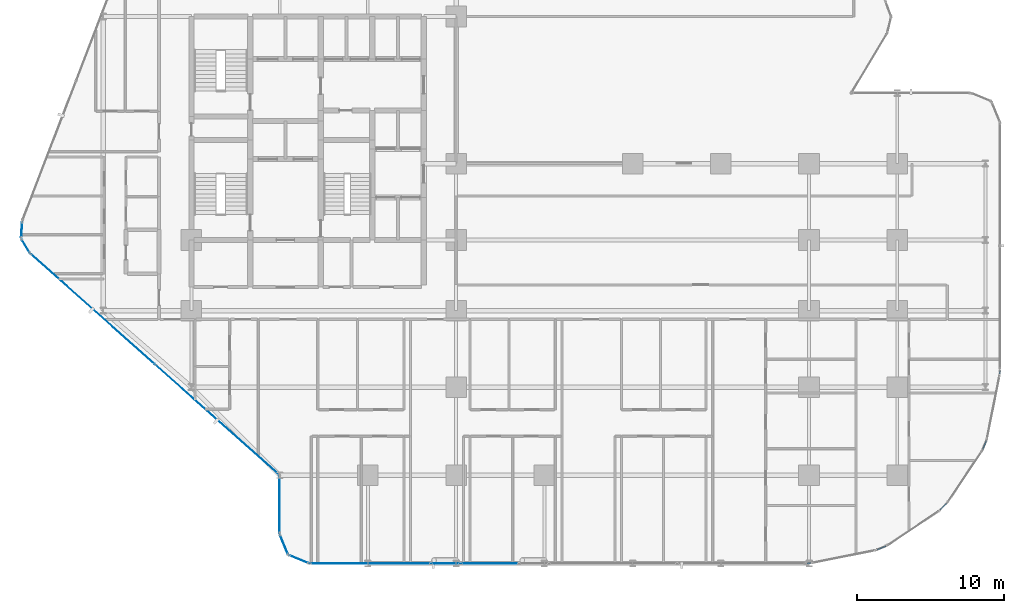
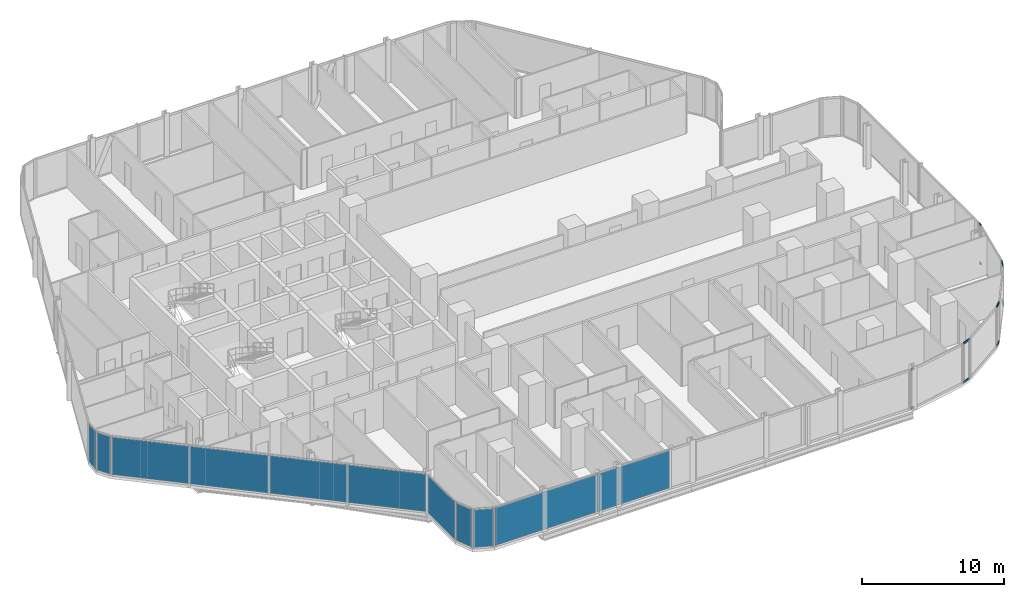
# One storey, part 20 of 35: 10 members, 10 plates, 14 elements without a shape of their own.
"""IFC4 building model written with IfcOpenShell, lengths in metres."""

import ifcopenshell
import ifcopenshell.guid

model = None  # the IFC model being written
_history = None  # IfcOwnerHistory: only IFC2X3 demands one
_inside = {}  # id of a spatial element -> (the spatial element, [elements in it])
_under = {}  # id of a project, library or spatial element -> (it, [spatial elements below it])
_declared = {}  # id of a project -> (the project, [libraries it declares])
_typed = {}  # id of a type object -> (the type object, [elements of that type])
_made_of = {}  # id of a material, layer set ... -> (it, [elements and type objects made of it])


def new_model(schema):
    """Start an empty IFC model of exactly this schema.

    Asked for "IFC4X3", IfcOpenShell would pick the latest addendum, in which some entities
    have other attributes; the version numbers below select the first issue.
    IFC2X3 requires an IfcOwnerHistory on every rooted entity: one is made here for all.
    """
    global model, _history
    if schema == "IFC4X3":
        model = ifcopenshell.file(schema_version=(4, 3, 0, 0))
    else:
        model = ifcopenshell.file(schema=schema)
    _inside.clear()
    _under.clear()
    _declared.clear()
    _typed.clear()
    _made_of.clear()
    _history = None
    if model.schema == "IFC2X3":
        org = make("IfcOrganization", Name="unknown")
        user = make(
            "IfcPersonAndOrganization",
            ThePerson=make("IfcPerson", FamilyName="unknown"),
            TheOrganization=org,
        )
        app = make(
            "IfcApplication",
            ApplicationDeveloper=org,
            Version="unknown",
            ApplicationFullName="unknown",
            ApplicationIdentifier="unknown",
        )
        _history = make(
            "IfcOwnerHistory",
            OwningUser=user,
            OwningApplication=app,
            ChangeAction="ADDED",
            CreationDate=0,
        )
    return model


def make(cls, **values):
    """One entity of the class cls with the attributes given. An attribute that is None is left unset."""
    return model.create_entity(
        cls, **{name: value for name, value in values.items() if value is not None}
    )


def rooted(cls, **values):
    """An entity with a GlobalId (a new one), such as an element, a storey or a relation."""
    return make(cls, GlobalId=ifcopenshell.guid.new(), OwnerHistory=_history, **values)


def si_unit(unit_type, name, prefix=None):
    """IfcSIUnit, for example si_unit("LENGTHUNIT", "METRE", prefix="MILLI")."""
    return make("IfcSIUnit", UnitType=unit_type, Prefix=prefix, Name=name)


def assignment(units):
    """IfcUnitAssignment: the units of a project."""
    return None if units is None else make("IfcUnitAssignment", Units=units)


def point(xyz):
    """IfcCartesianPoint."""
    return None if xyz is None else make("IfcCartesianPoint", Coordinates=xyz)


def direction(xyz):
    """IfcDirection."""
    return None if xyz is None else make("IfcDirection", DirectionRatios=xyz)


def frame(location, z_axis=None, x_axis=None):
    """IfcAxis2Placement3D, a coordinate frame: its origin and axes. An axis left out is left unset."""
    return make(
        "IfcAxis2Placement3D",
        Location=point(location),
        Axis=direction(z_axis),
        RefDirection=direction(x_axis),
    )


def frame_2d(location, x_axis=None):
    """IfcAxis2Placement2D, a coordinate frame in the plane: its origin and x axis."""
    return make(
        "IfcAxis2Placement2D", Location=point(location), RefDirection=direction(x_axis)
    )


def origin():
    """The frame at (0, 0, 0) with its axes left unset."""
    return frame((0.0, 0.0, 0.0))


def origin_2d():
    """The frame at (0, 0) in the plane with its x axis left unset."""
    return frame_2d((0.0, 0.0))


def place(relative_to, where):
    """IfcLocalPlacement: puts the frame where relative to a parent placement (None: the world)."""
    return make(
        "IfcLocalPlacement", PlacementRelTo=relative_to, RelativePlacement=where
    )


def context(
    kind, dimensions, precision=None, world=None, true_north=None, identifier=None
):
    """IfcGeometricRepresentationContext, for example the 3D "Model" context."""
    return make(
        "IfcGeometricRepresentationContext",
        ContextIdentifier=identifier,
        ContextType=kind,
        CoordinateSpaceDimension=dimensions,
        Precision=precision,
        WorldCoordinateSystem=world,
        TrueNorth=true_north,
    )


def subcontext(parent, identifier, kind, view, scale=None):
    """IfcGeometricRepresentationSubContext, for example "Body" below "Model"."""
    return make(
        "IfcGeometricRepresentationSubContext",
        ContextIdentifier=identifier,
        ContextType=kind,
        ParentContext=parent,
        TargetScale=scale,
        TargetView=view,
    )


def project(units=None, contexts=None):
    """IfcProject with its units and contexts."""
    return rooted(
        "IfcProject",
        Name="project",
        RepresentationContexts=contexts,
        UnitsInContext=assignment(units),
    )


def spatial(cls, under=None, at=None, **own):
    """A site, building, storey or space (cls), placed at a placement, below another one or the project."""
    s = rooted(cls, ObjectPlacement=at, **own)
    if under is not None:
        _under.setdefault(under.id(), (under, []))[1].append(s)
    return s


def profile(cls, at=None, kind="AREA", **sizes):
    """A parametric profile (cls). Its sizes go by their IFC names, for example OverallWidth=200.0."""
    return make(cls, ProfileType=kind, Position=at, **sizes)


def rectangle(**sizes):
    """IfcRectangleProfileDef."""
    return profile("IfcRectangleProfileDef", **sizes)


def hollow_rectangle(**sizes):
    """IfcRectangleHollowProfileDef."""
    return profile("IfcRectangleHollowProfileDef", **sizes)


def extrude(swept, where, along, depth):
    """IfcExtrudedAreaSolid: the profile swept, set in the frame where, extruded along a direction by depth."""
    return make(
        "IfcExtrudedAreaSolid",
        SweptArea=swept,
        Position=where,
        ExtrudedDirection=direction(along),
        Depth=depth,
    )


def shape(context_of_items, identifier, shape_type, items):
    """IfcShapeRepresentation: the items that make up one representation, for example the "Body"."""
    return make(
        "IfcShapeRepresentation",
        ContextOfItems=context_of_items,
        RepresentationIdentifier=identifier,
        RepresentationType=shape_type,
        Items=items,
    )


def material(Name=None, Category=None):
    """IfcMaterial."""
    return make("IfcMaterial", Name=Name, Category=Category)


def layer(
    of_material, thickness, ventilated=None, Name=None, Category=None, Priority=None
):
    """IfcMaterialLayer: one layer of a wall or slab, of a material (None: an air gap)."""
    return make(
        "IfcMaterialLayer",
        Material=of_material,
        LayerThickness=thickness,
        IsVentilated=ventilated,
        Name=Name,
        Category=Category,
        Priority=Priority,
    )


def layer_set(layers, Name=None):
    """IfcMaterialLayerSet."""
    return make("IfcMaterialLayerSet", MaterialLayers=layers, LayerSetName=Name)


def material_profile(
    of_material, cross_section, Name=None, Category=None, Priority=None
):
    """IfcMaterialProfile: a cross section and its material."""
    return make(
        "IfcMaterialProfile",
        Name=Name,
        Material=of_material,
        Profile=cross_section,
        Priority=Priority,
        Category=Category,
    )


def profile_set(profiles, Name=None, composite=None):
    """IfcMaterialProfileSet."""
    return make(
        "IfcMaterialProfileSet",
        Name=Name,
        MaterialProfiles=profiles,
        CompositeProfile=composite,
    )


def made_of(thing, what):
    """Note that an element or type object is made of a material, layer set ...; save() writes the relation."""
    if what is not None:
        _made_of.setdefault(what.id(), (what, []))[1].append(thing)
    return thing


def type_object(cls, material=None, **own):
    """A type object (cls), such as IfcWallType, which elements share."""
    return made_of(rooted(cls, **own), material)


def element(
    cls,
    number,
    at=None,
    inside=None,
    cuts=None,
    type_object=None,
    material=None,
    context=None,
    identifier="Body",
    shape_type=None,
    held_by="IfcProductDefinitionShape",
    body=None,
    shapes=None,
    **own,
):
    """One element of the class cls, such as IfcWall. Its Tag is "e" and its number.

    at: its placement. inside: the storey or other place that contains it. cuts: it is an
    opening in that element (IfcRelVoidsElement). A single representation is given by context,
    identifier, shape_type and body (its items); several are given by shapes. held_by: the class
    of the entity that holds the representations. save() writes the other relations.
    """
    e = rooted(cls, Tag="e%d" % number, ObjectPlacement=at, **own)
    if body is not None:
        shapes = [shape(context, identifier, shape_type, body)]
    if shapes is not None:
        e.Representation = make(held_by, Representations=shapes)
    if inside is not None:
        _inside.setdefault(inside.id(), (inside, []))[1].append(e)
    if cuts is not None:
        rooted(
            "IfcRelVoidsElement", RelatingBuildingElement=cuts, RelatedOpeningElement=e
        )
    if type_object is not None:
        _typed.setdefault(type_object.id(), (type_object, []))[1].append(e)
    return made_of(e, material)


def aggregate(whole, parts):
    """IfcRelAggregates: a whole, such as a stair, and the parts it consists of."""
    return rooted("IfcRelAggregates", RelatingObject=whole, RelatedObjects=parts)


def save(model, path):
    """Write the relations noted so far, then the file.

    IfcRelAggregates (storeys below a building ...), IfcRelContainedInSpatialStructure (elements
    in a storey), IfcRelDefinesByType, IfcRelAssociatesMaterial and IfcRelDeclares: one each for
    every whole, place, type object, material and project.
    """
    for whole, parts in _under.values():
        aggregate(whole, parts)
    for where, things in _inside.values():
        rooted(
            "IfcRelContainedInSpatialStructure",
            RelatedElements=things,
            RelatingStructure=where,
        )
    for kind, things in _typed.values():
        rooted("IfcRelDefinesByType", RelatedObjects=things, RelatingType=kind)
    for what, things in _made_of.values():
        rooted("IfcRelAssociatesMaterial", RelatedObjects=things, RelatingMaterial=what)
    for by, libraries in _declared.values():
        rooted("IfcRelDeclares", RelatingContext=by, RelatedDefinitions=libraries)
    model.write(path)


model = new_model("IFC4")

# Units and contexts
model_context = context("Model", 3, precision=1e-05, world=origin(), true_north=direction((0.0, 1.0)))
body_context = subcontext(model_context, "Body", "Model", "MODEL_VIEW")
ifc_project = project(units=[si_unit("LENGTHUNIT", "METRE"), si_unit("AREAUNIT", "SQUARE_METRE"), si_unit("VOLUMEUNIT", "CUBIC_METRE"), si_unit("PLANEANGLEUNIT", "RADIAN"), si_unit("MASSUNIT", "GRAM", prefix="KILO")], contexts=[model_context])

# Site, building, storey
site_placement = place(None, origin())
site = spatial("IfcSite", under=ifc_project, at=site_placement, CompositionType="ELEMENT")
building_placement = place(site_placement, origin())
building = spatial("IfcBuilding", under=site, at=building_placement, Name="Keshet Zoharim Tower", CompositionType="ELEMENT")
storey_placement = place(building_placement, frame((0.0, 0.0, 24.0)))
storey = spatial("IfcBuildingStorey", under=building, at=storey_placement, Name="L04", CompositionType="ELEMENT", Elevation=24.0)

# Curtain wall, members
ifc_material_1 = material(Name="Aluminium 6063-T6", Category="aluminium")
ifc_layer_1 = layer(ifc_material_1, 0.169921875)
ifc_layer_set_1 = layer_set([ifc_layer_1], Name="Aluminium 6063-T6")
curtain_wall_type_1 = type_object("IfcCurtainWallType", Name="CW-SYS-02", PredefinedType="NOTDEFINED", material=ifc_layer_set_1)
curtain_wall_1_placement = place(storey_placement, origin())
curtain_wall_1 = element("IfcCurtainWall", 1, at=curtain_wall_1_placement, inside=storey, type_object=curtain_wall_type_1, Name="L04 Unitised Curtain Wall 17", PredefinedType="NOTDEFINED")
ifc_material_profile = material_profile(ifc_material_1, hollow_rectangle(XDim=0.0849609375, YDim=0.159912109375, WallThickness=0.00439453125, at=origin_2d()), Name="TRN-85x160")
ifc_profile_set = profile_set([ifc_material_profile], Name="Aluminium 6063-T6")
member_type = type_object("IfcMemberType", Name="CWT-T16", PredefinedType="USERDEFINED", material=ifc_profile_set)
member_1_placement = place(storey_placement, frame((69.9931640625, 13.827392578125, 0.034912109375), z_axis=(-0.096912647607, -0.995292890929, 0.0), x_axis=(0.995292890929, -0.096912647607, 0.0)))
member_1 = element("IfcMember", 2, at=member_1_placement, type_object=member_type, Name="CW-02 transom 1.1", ObjectType="TRANSOM", PredefinedType="USERDEFINED", context=body_context, shape_type="SweptSolid", body=[
    extrude(hollow_rectangle(XDim=0.0849609375, YDim=0.159912109375, WallThickness=0.00439453125, at=origin_2d()), origin(), (0.0, 0.0, 1.0), 0.251953125),
])
member_2_placement = place(storey_placement, frame((69.9931640625, 13.827392578125, 3.35009765625), z_axis=(-0.096912647607, -0.995292890929, 0.0), x_axis=(0.995292890929, -0.096912647607, 0.0)))
member_2 = element("IfcMember", 3, at=member_2_placement, type_object=member_type, Name="CW-02 transom 1.2", ObjectType="TRANSOM", PredefinedType="USERDEFINED", context=body_context, shape_type="SweptSolid", body=[
    extrude(hollow_rectangle(XDim=0.0849609375, YDim=0.159912109375, WallThickness=0.00439453125, at=origin_2d()), origin(), (0.0, 0.0, 1.0), 0.251953125),
])
aggregate(curtain_wall_1, [member_1, member_2])

ifc_layer_2 = layer(ifc_material_1, 0.179931640625)
ifc_layer_set_2 = layer_set([ifc_layer_2], Name="Aluminium 6063-T6")
curtain_wall_type_2 = type_object("IfcCurtainWallType", Name="CW-SYS-01", PredefinedType="NOTDEFINED", material=ifc_layer_set_2)
curtain_wall_2_placement = place(storey_placement, origin())
curtain_wall_2 = element("IfcCurtainWall", 4, at=curtain_wall_2_placement, inside=storey, type_object=curtain_wall_type_2, Name="L04 Unitised Curtain Wall 19", PredefinedType="NOTDEFINED")
member_3_placement = place(storey_placement, frame((69.061279296875, 9.05029296875, 0.034912109375), z_axis=(-0.383126096215, -0.923696050874, 0.0), x_axis=(0.923696050874, -0.383126096215, 0.0)))
member_3 = element("IfcMember", 5, at=member_3_placement, type_object=member_type, Name="CW-01 transom 1.1", ObjectType="TRANSOM", PredefinedType="USERDEFINED", context=body_context, shape_type="SweptSolid", body=[
    extrude(hollow_rectangle(XDim=0.0849609375, YDim=0.159912109375, WallThickness=0.00439453125, at=origin_2d()), origin(), (0.0, 0.0, 1.0), 0.640380859375),
])
member_4_placement = place(storey_placement, frame((69.061279296875, 9.05029296875, 3.35009765625), z_axis=(-0.383126096215, -0.923696050874, 0.0), x_axis=(0.923696050874, -0.383126096215, 0.0)))
member_4 = element("IfcMember", 6, at=member_4_placement, type_object=member_type, Name="CW-01 transom 1.2", ObjectType="TRANSOM", PredefinedType="USERDEFINED", context=body_context, shape_type="SweptSolid", body=[
    extrude(hollow_rectangle(XDim=0.0849609375, YDim=0.159912109375, WallThickness=0.00439453125, at=origin_2d()), origin(), (0.0, 0.0, 1.0), 0.640380859375),
])
aggregate(curtain_wall_2, [member_3, member_4])

curtain_wall_3_placement = place(storey_placement, origin())
curtain_wall_3 = element("IfcCurtainWall", 7, at=curtain_wall_3_placement, inside=storey, type_object=curtain_wall_type_2, Name="L04 Unitised Curtain Wall 21", PredefinedType="NOTDEFINED")
member_5_placement = place(storey_placement, frame((66.363525390625, 4.78857421875, 0.034912109375), z_axis=(-0.707106781187, -0.707106781187, 0.0), x_axis=(0.707106781187, -0.707106781187, 0.0)))
member_5 = element("IfcMember", 8, at=member_5_placement, type_object=member_type, Name="CW-01 transom 1.1", ObjectType="TRANSOM", PredefinedType="USERDEFINED", context=body_context, shape_type="SweptSolid", body=[
    extrude(hollow_rectangle(XDim=0.0849609375, YDim=0.159912109375, WallThickness=0.00439453125, at=origin_2d()), origin(), (0.0, 0.0, 1.0), 0.639404296875),
])
member_6_placement = place(storey_placement, frame((66.363525390625, 4.78857421875, 3.35009765625), z_axis=(-0.707106781187, -0.707106781187, 0.0), x_axis=(0.707106781187, -0.707106781187, 0.0)))
member_6 = element("IfcMember", 9, at=member_6_placement, type_object=member_type, Name="CW-01 transom 1.2", ObjectType="TRANSOM", PredefinedType="USERDEFINED", context=body_context, shape_type="SweptSolid", body=[
    extrude(hollow_rectangle(XDim=0.0849609375, YDim=0.159912109375, WallThickness=0.00439453125, at=origin_2d()), origin(), (0.0, 0.0, 1.0), 0.639404296875),
])
aggregate(curtain_wall_3, [member_5, member_6])

curtain_wall_4_placement = place(storey_placement, origin())
curtain_wall_4 = element("IfcCurtainWall", 10, at=curtain_wall_4_placement, inside=storey, type_object=curtain_wall_type_2, Name="L04 Unitised Curtain Wall 23", PredefinedType="NOTDEFINED")
member_7_placement = place(storey_placement, frame((62.241455078125, 1.88427734375, 0.034912109375), z_axis=(-0.923751978938, -0.382991228891, 0.0), x_axis=(0.382991228891, -0.923751978938, 0.0)))
member_7 = element("IfcMember", 11, at=member_7_placement, type_object=member_type, Name="CW-01 transom 1.1", ObjectType="TRANSOM", PredefinedType="USERDEFINED", context=body_context, shape_type="SweptSolid", body=[
    extrude(hollow_rectangle(XDim=0.0849609375, YDim=0.159912109375, WallThickness=0.00439453125, at=origin_2d()), origin(), (0.0, 0.0, 1.0), 0.640625),
])
member_8_placement = place(storey_placement, frame((62.241455078125, 1.88427734375, 3.35009765625), z_axis=(-0.923751978938, -0.382991228891, 0.0), x_axis=(0.382991228891, -0.923751978938, 0.0)))
member_8 = element("IfcMember", 12, at=member_8_placement, type_object=member_type, Name="CW-01 transom 1.2", ObjectType="TRANSOM", PredefinedType="USERDEFINED", context=body_context, shape_type="SweptSolid", body=[
    extrude(hollow_rectangle(XDim=0.0849609375, YDim=0.159912109375, WallThickness=0.00439453125, at=origin_2d()), origin(), (0.0, 0.0, 1.0), 0.640625),
])
aggregate(curtain_wall_4, [member_7, member_8])

curtain_wall_5_placement = place(storey_placement, origin())
curtain_wall_5 = element("IfcCurtainWall", 13, at=curtain_wall_5_placement, inside=storey, type_object=curtain_wall_type_2, Name="L04 Unitised Curtain Wall 25", PredefinedType="NOTDEFINED")
member_9_placement = place(storey_placement, frame((57.123291015625, 0.731201171875, 0.034912109375), z_axis=(-0.995292890929, -0.096912647607, 0.0), x_axis=(0.096912647607, -0.995292890929, 0.0)))
member_9 = element("IfcMember", 14, at=member_9_placement, type_object=member_type, Name="CW-01 transom 1.1", ObjectType="TRANSOM", PredefinedType="USERDEFINED", context=body_context, shape_type="SweptSolid", body=[
    extrude(hollow_rectangle(XDim=0.0849609375, YDim=0.159912109375, WallThickness=0.00439453125, at=origin_2d()), origin(), (0.0, 0.0, 1.0), 0.251953125),
])
member_10_placement = place(storey_placement, frame((57.123291015625, 0.731201171875, 3.35009765625), z_axis=(-0.995292890929, -0.096912647607, 0.0), x_axis=(0.096912647607, -0.995292890929, 0.0)))
member_10 = element("IfcMember", 15, at=member_10_placement, type_object=member_type, Name="CW-01 transom 1.2", ObjectType="TRANSOM", PredefinedType="USERDEFINED", context=body_context, shape_type="SweptSolid", body=[
    extrude(hollow_rectangle(XDim=0.0849609375, YDim=0.159912109375, WallThickness=0.00439453125, at=origin_2d()), origin(), (0.0, 0.0, 1.0), 0.251953125),
])
aggregate(curtain_wall_5, [member_9, member_10])

# Curtain wall, plates
curtain_wall_6_placement = place(storey_placement, origin())
curtain_wall_6 = element("IfcCurtainWall", 16, at=curtain_wall_6_placement, inside=storey, type_object=curtain_wall_type_2, Name="L04 Unitised Curtain Wall 01", PredefinedType="NOTDEFINED")
ifc_material_2 = material(Name="Insulated Low-E Clear Glass", Category="glass")
ifc_layer_3 = layer(ifc_material_2, 0.035888671875)
ifc_layer_set_3 = layer_set([ifc_layer_3], Name="Insulated Low-E Clear Glass")
plate_type_1 = type_object("IfcPlateType", Name="CWP-01", PredefinedType="CURTAIN_PANEL", material=ifc_layer_set_3)
plate_1_placement = place(storey_placement, frame((16.74560546875, 10.481689453125, 0.06982421875), z_axis=(0.0, 0.0, 1.0), x_axis=(-0.747409318679, 0.664363838836, 0.0)))
plate_1 = element("IfcPlate", 17, at=plate_1_placement, type_object=plate_type_1, Name="CW-01 panel 1.1", PredefinedType="CURTAIN_PANEL", context=body_context, shape_type="SweptSolid", body=[
    extrude(rectangle(XDim=11.244140625, YDim=0.035888671875, at=origin_2d()), origin(), (0.0, 0.0, 1.0), 3.2451171875),
])
plate_2_placement = place(storey_placement, frame((8.289306640625, 17.998291015625, 0.06982421875), z_axis=(0.0, 0.0, 1.0), x_axis=(-0.747409318679, 0.664363838836, 0.0)))
plate_2 = element("IfcPlate", 18, at=plate_2_placement, type_object=plate_type_1, Name="CW-01 panel 2.1", PredefinedType="CURTAIN_PANEL", context=body_context, shape_type="SweptSolid", body=[
    extrude(rectangle(XDim=11.244140625, YDim=0.035888671875, at=origin_2d()), origin(), (0.0, 0.0, 1.0), 3.2451171875),
])
aggregate(curtain_wall_6, [plate_1, plate_2])

# Curtain wall, plate
curtain_wall_7_placement = place(storey_placement, origin())
curtain_wall_7 = element("IfcCurtainWall", 19, at=curtain_wall_7_placement, inside=storey, type_object=curtain_wall_type_2, Name="L04 Unitised Curtain Wall 02", PredefinedType="NOTDEFINED")
plate_3_placement = place(storey_placement, frame((3.7275390625, 22.291015625, 0.06982421875), z_axis=(0.0, 0.0, 1.0), x_axis=(-0.515604947933, 0.856826433805, 0.0)))
plate_3 = element("IfcPlate", 20, at=plate_3_placement, type_object=plate_type_1, Name="CW-01 panel 1.1", PredefinedType="CURTAIN_PANEL", context=body_context, shape_type="SweptSolid", body=[
    extrude(rectangle(XDim=1.052734375, YDim=0.035888671875, at=origin_2d()), origin(), (0.0, 0.0, 1.0), 3.2451171875),
])
aggregate(curtain_wall_7, [plate_3])

curtain_wall_8_placement = place(storey_placement, origin())
curtain_wall_8 = element("IfcCurtainWall", 21, at=curtain_wall_8_placement, inside=storey, type_object=curtain_wall_type_2, Name="L04 Unitised Curtain Wall 03", PredefinedType="NOTDEFINED")
plate_4_placement = place(storey_placement, frame((3.45849609375, 23.3974609375, 0.06982421875), z_axis=(0.0, 0.0, 1.0), x_axis=(0.064516859374, 0.997916617186, 0.0)))
plate_4 = element("IfcPlate", 22, at=plate_4_placement, type_object=plate_type_1, Name="CW-01 panel 1.1", PredefinedType="CURTAIN_PANEL", context=body_context, shape_type="SweptSolid", body=[
    extrude(rectangle(XDim=1.053466796875, YDim=0.035888671875, at=origin_2d()), origin(), (0.0, 0.0, 1.0), 3.2451171875),
])
aggregate(curtain_wall_8, [plate_4])

curtain_wall_9_placement = place(storey_placement, origin())
curtain_wall_9 = element("IfcCurtainWall", 23, at=curtain_wall_9_placement, inside=storey, type_object=curtain_wall_type_2, Name="L04 Unitised Curtain Wall 26 Part 3", PredefinedType="NOTDEFINED")
plate_5_placement = place(storey_placement, frame((35.284912109375, 0.699951171875, 0.06982421875), z_axis=(0.0, 0.0, 1.0), x_axis=(-1.0, 0.0, 0.0)))
plate_5 = element("IfcPlate", 24, at=plate_5_placement, type_object=plate_type_1, Name="CW-01 panel 1.1", PredefinedType="CURTAIN_PANEL", context=body_context, shape_type="SweptSolid", body=[
    extrude(rectangle(XDim=3.90478515625, YDim=0.035888671875, at=origin_2d()), origin(), (0.0, 0.0, 1.0), 3.2451171875),
])
aggregate(curtain_wall_9, [plate_5])

curtain_wall_10_placement = place(storey_placement, origin())
curtain_wall_10 = element("IfcCurtainWall", 25, at=curtain_wall_10_placement, inside=storey, type_object=curtain_wall_type_2, Name="L04 Unitised Curtain Wall 26 Part 5", PredefinedType="NOTDEFINED")
plate_6_placement = place(storey_placement, frame((27.15380859375, 0.699951171875, 0.06982421875), z_axis=(0.0, 0.0, 1.0), x_axis=(-1.0, 0.0, 0.0)))
plate_6 = element("IfcPlate", 26, at=plate_6_placement, type_object=plate_type_1, Name="CW-01 panel 1.1", PredefinedType="CURTAIN_PANEL", context=body_context, shape_type="SweptSolid", body=[
    extrude(rectangle(XDim=8.16748046875, YDim=0.035888671875, at=origin_2d()), origin(), (0.0, 0.0, 1.0), 3.2451171875),
])
aggregate(curtain_wall_10, [plate_6])

curtain_wall_11_placement = place(storey_placement, origin())
curtain_wall_11 = element("IfcCurtainWall", 27, at=curtain_wall_11_placement, inside=storey, type_object=curtain_wall_type_2, Name="L04 Unitised Curtain Wall 27", PredefinedType="NOTDEFINED")
plate_7_placement = place(storey_placement, frame((22.29296875, 0.992919921875, 0.06982421875), z_axis=(0.0, 0.0, 1.0), x_axis=(-0.92380975372, 0.382851849847, 0.0)))
plate_7 = element("IfcPlate", 28, at=plate_7_placement, type_object=plate_type_1, Name="CW-01 panel 1.1", PredefinedType="CURTAIN_PANEL", context=body_context, shape_type="SweptSolid", body=[
    extrude(rectangle(XDim=1.390625, YDim=0.035888671875, at=origin_2d()), origin(), (0.0, 0.0, 1.0), 3.2451171875),
])
aggregate(curtain_wall_11, [plate_7])

curtain_wall_12_placement = place(storey_placement, origin())
curtain_wall_12 = element("IfcCurtainWall", 29, at=curtain_wall_12_placement, inside=storey, type_object=curtain_wall_type_2, Name="L04 Unitised Curtain Wall 28", PredefinedType="NOTDEFINED")
plate_8_placement = place(storey_placement, frame((21.29296875, 1.992919921875, 0.06982421875), z_axis=(0.0, 0.0, 1.0), x_axis=(-0.382851849847, 0.92380975372, 0.0)))
plate_8 = element("IfcPlate", 30, at=plate_8_placement, type_object=plate_type_1, Name="CW-01 panel 1.1", PredefinedType="CURTAIN_PANEL", context=body_context, shape_type="SweptSolid", body=[
    extrude(rectangle(XDim=1.390625, YDim=0.035888671875, at=origin_2d()), origin(), (0.0, 0.0, 1.0), 3.2451171875),
])
aggregate(curtain_wall_12, [plate_8])

curtain_wall_13_placement = place(storey_placement, origin())
curtain_wall_13 = element("IfcCurtainWall", 31, at=curtain_wall_13_placement, inside=storey, type_object=curtain_wall_type_2, Name="L04 Unitised Curtain Wall 29", PredefinedType="NOTDEFINED")
plate_9_placement = place(storey_placement, frame((21.0, 4.699951171875, 0.06982421875), z_axis=(0.0, 0.0, 1.0), x_axis=(0.0, 1.0, 0.0)))
plate_9 = element("IfcPlate", 32, at=plate_9_placement, type_object=plate_type_1, Name="CW-01 panel 1.1", PredefinedType="CURTAIN_PANEL", context=body_context, shape_type="SweptSolid", body=[
    extrude(rectangle(XDim=3.860107421875, YDim=0.035888671875, at=origin_2d()), origin(), (0.0, 0.0, 1.0), 3.2451171875),
])
aggregate(curtain_wall_13, [plate_9])

curtain_wall_14_placement = place(storey_placement, origin())
curtain_wall_14 = element("IfcCurtainWall", 33, at=curtain_wall_14_placement, inside=storey, type_object=curtain_wall_type_2, Name="L04 Unitised Curtain Wall 26 Part 4", PredefinedType="NOTDEFINED")
ifc_material_3 = material(Name="Insulated Aluminium Spandrel Panel", Category="aluminium")
ifc_layer_4 = layer(ifc_material_3, 0.035888671875)
ifc_layer_set_4 = layer_set([ifc_layer_4], Name="Insulated Aluminium Spandrel Panel")
plate_type_2 = type_object("IfcPlateType", Name="CWP-04", PredefinedType="CURTAIN_PANEL", material=ifc_layer_set_4)
plate_10_placement = place(storey_placement, frame((32.284912109375, 0.699951171875, 0.06982421875), z_axis=(0.0, 0.0, 1.0), x_axis=(-1.0, 0.0, 0.0)))
plate_10 = element("IfcPlate", 34, at=plate_10_placement, type_object=plate_type_2, Name="CW-01 spandrel panel 1.1", PredefinedType="CURTAIN_PANEL", context=body_context, shape_type="SweptSolid", body=[
    extrude(rectangle(XDim=1.955078125, YDim=0.035888671875, at=origin_2d()), origin(), (0.0, 0.0, 1.0), 3.2451171875),
])
aggregate(curtain_wall_14, [plate_10])

save(model, "model.ifc")
